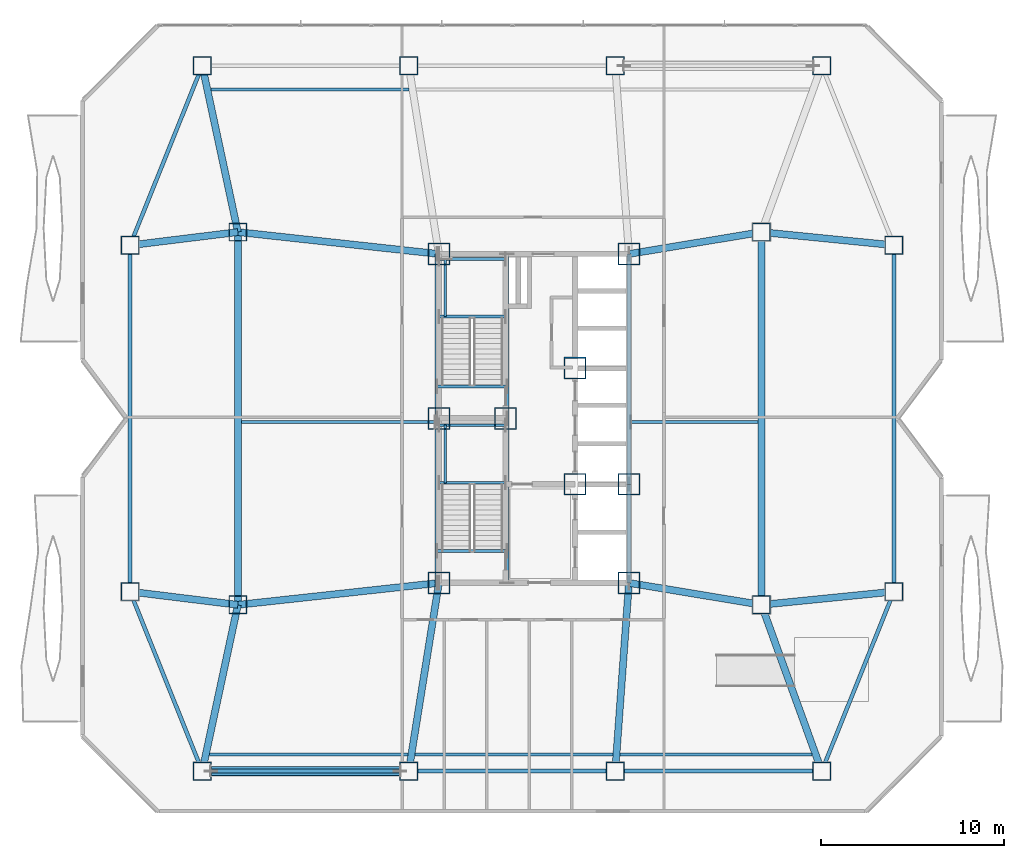
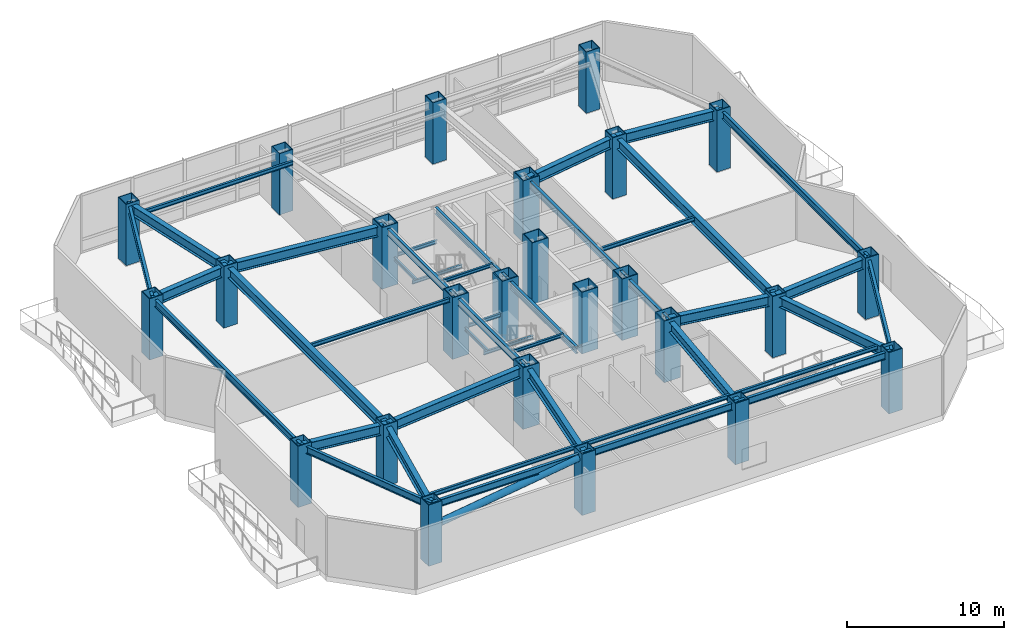
# One storey, part 1 of 14: 43 beams, 25 columns, 1 member.
"""IFC4 building model written with IfcOpenShell, lengths in metres."""

from ifc_helpers import new_model, si_unit, direction, frame, origin, origin_2d, place, context, subcontext, project, spatial, hollow_rectangle, hollow_circle, i_section, extrude, material, material_profile, profile_set, type_object, element, save


model = new_model("IFC4")

# Units and contexts
model_context = context("Model", 3, precision=1e-05, world=origin(), true_north=direction((0.0, 1.0)))
body_context = subcontext(model_context, "Body", "Model", "MODEL_VIEW")
ifc_project = project(units=[si_unit("LENGTHUNIT", "METRE"), si_unit("AREAUNIT", "SQUARE_METRE"), si_unit("VOLUMEUNIT", "CUBIC_METRE"), si_unit("PLANEANGLEUNIT", "RADIAN"), si_unit("MASSUNIT", "GRAM", prefix="KILO")], contexts=[model_context])

# Site, building, storey
site_placement = place(None, origin())
site = spatial("IfcSite", under=ifc_project, at=site_placement, CompositionType="ELEMENT")
building_placement = place(site_placement, origin())
building = spatial("IfcBuilding", under=site, at=building_placement, Name="Khamvora Tower", CompositionType="ELEMENT")
storey_placement = place(building_placement, frame((0.0, 0.0, 89.800048828125)))
storey = spatial("IfcBuildingStorey", under=building, at=storey_placement, Name="L22", CompositionType="ELEMENT", Elevation=89.800048828125)

# Columns
ifc_material_1 = material(Name="Steel S355", Category="steel")
ifc_material_profile_1 = material_profile(ifc_material_1, hollow_rectangle(XDim=1.0, YDim=1.0, WallThickness=0.050048828125, at=origin_2d()), Name="BOX1000x1000x50")
ifc_profile_set_1 = profile_set([ifc_material_profile_1], Name="Steel S355")
column_type_1 = type_object("IfcColumnType", Name="COL-BOX1000", PredefinedType="COLUMN", material=ifc_profile_set_1)
for number, where, z_axis, x_axis, name in (
    (1, (16.050048828125, 8.699951171875, 0.02490234375), (0.0, 0.0, 1.0), (1.0, 0.0, 0.0), "L22 structural frame column S1"),
    (2, (27.35009765625, 8.699951171875, 0.02490234375), (0.0, 0.0, 1.0), (1.0, 0.0, 0.0), "L22 structural frame column S2"),
    (3, (38.64990234375, 8.699951171875, 0.02490234375), (0.0, 0.0, 1.0), (1.0, 0.0, 0.0), "L22 structural frame column S3"),
    (4, (49.949951171875, 8.699951171875, 0.02490234375), (0.0, 0.0, 1.0), (1.0, 0.0, 0.0), "L22 structural frame column S4"),
    (5, (16.050048828125, 47.300048828125, 0.02490234375), (0.0, 0.0, 1.0), (1.0, 0.0, 0.0), "L22 structural frame column N1"),
    (6, (27.35009765625, 47.300048828125, 0.02490234375), (0.0, 0.0, 1.0), (1.0, 0.0, 0.0), "L22 structural frame column N2"),
    (7, (38.64990234375, 47.300048828125, 0.02490234375), (0.0, 0.0, 1.0), (1.0, 0.0, 0.0), "L22 structural frame column N3"),
    (8, (49.949951171875, 47.300048828125, 0.02490234375), (0.0, 0.0, 1.0), (1.0, 0.0, 0.0), "L22 structural frame column N4"),
    (9, (12.10009765625, 18.52490234375, 0.02490234375), (0.0, 0.0, 1.0), (1.0, 0.0, 0.0), "L22 structural frame column W1"),
    (10, (12.10009765625, 37.47509765625, 0.02490234375), (0.0, 0.0, 1.0), (1.0, 0.0, 0.0), "L22 structural frame column W2"),
    (11, (53.89990234375, 18.52490234375, 0.02490234375), (0.0, 0.0, 1.0), (1.0, 0.0, 0.0), "L22 structural frame column E1"),
    (12, (53.89990234375, 37.47509765625, 0.02490234375), (0.0, 0.0, 1.0), (1.0, 0.0, 0.0), "L22 structural frame column E2"),
):
    element("IfcColumn", number, at=place(storey_placement, frame(where, z_axis=z_axis, x_axis=x_axis)), inside=storey, type_object=column_type_1, Name=name, PredefinedType="COLUMN", context=body_context, shape_type="SweptSolid", body=[
        extrude(hollow_rectangle(XDim=1.0, YDim=1.0, WallThickness=0.050048828125, at=origin_2d()), origin(), (0.0, 0.0, 1.0), 4.775146484375),
    ])
for number, where, z_axis, x_axis, name in (
    (13, (18.0, 17.800048828125, 0.0), (0.0, 0.0, 1.0), (1.0, 0.0, 0.0), "L22 structural frame column MW1"),
    (14, (18.0, 38.199951171875, 0.0), (0.0, 0.0, 1.0), (1.0, 0.0, 0.0), "L22 structural frame column MW2"),
):
    element("IfcColumn", number, at=place(storey_placement, frame(where, z_axis=z_axis, x_axis=x_axis)), inside=storey, type_object=column_type_1, Name=name, PredefinedType="COLUMN", context=body_context, shape_type="SweptSolid", body=[
        extrude(hollow_rectangle(XDim=1.0, YDim=1.0, WallThickness=0.050048828125, at=origin_2d()), origin(), (0.0, 0.0, 1.0), 4.800048828125),
    ])
for number, where, z_axis, x_axis, name in (
    (15, (46.64990234375, 17.800048828125, 0.02490234375), (0.0, 0.0, 1.0), (1.0, 0.0, 0.0), "L22 structural frame column M1"),
    (16, (46.64990234375, 38.199951171875, 0.02490234375), (0.0, 0.0, 1.0), (1.0, 0.0, 0.0), "L22 structural frame column M2"),
):
    element("IfcColumn", number, at=place(storey_placement, frame(where, z_axis=z_axis, x_axis=x_axis)), inside=storey, type_object=column_type_1, Name=name, PredefinedType="COLUMN", context=body_context, shape_type="SweptSolid", body=[
        extrude(hollow_rectangle(XDim=1.0, YDim=1.0, WallThickness=0.050048828125, at=origin_2d()), origin(), (0.0, 0.0, 1.0), 4.775146484375),
    ])
ifc_material_2 = material(Name="Steel S460", Category="steel")
ifc_material_profile_2 = material_profile(ifc_material_2, hollow_rectangle(XDim=1.199951171875, YDim=1.199951171875, WallThickness=0.06005859375, at=origin_2d()), Name="BOX1200x1200x60")
ifc_profile_set_2 = profile_set([ifc_material_profile_2], Name="Steel S460")
column_type_2 = type_object("IfcColumnType", Name="COL-BOX1200", PredefinedType="COLUMN", material=ifc_profile_set_2)
for number, where, z_axis, x_axis, name in (
    (17, (29.0, 19.0, 0.0), (0.0, 0.0, 1.0), (1.0, 0.0, 0.0), "L22 plumb core spine column SC1"),
    (18, (32.64990234375, 28.0, 0.0), (0.0, 0.0, 1.0), (1.0, 0.0, 0.0), "L22 plumb core spine column SC2"),
    (19, (39.39990234375, 19.0, 0.0), (0.0, 0.0, 1.0), (1.0, 0.0, 0.0), "L22 plumb core spine column SC3"),
    (20, (29.0, 28.0, 0.0), (0.0, 0.0, 1.0), (1.0, 0.0, 0.0), "L22 plumb core spine column SC4"),
    (21, (36.449951171875, 24.39990234375, 0.0), (0.0, 0.0, 1.0), (1.0, 0.0, 0.0), "L22 plumb core spine column SC5"),
    (22, (39.39990234375, 24.39990234375, 0.0), (0.0, 0.0, 1.0), (1.0, 0.0, 0.0), "L22 plumb core spine column SC6"),
    (23, (29.0, 37.0, 0.0), (0.0, 0.0, 1.0), (1.0, 0.0, 0.0), "L22 plumb core spine column SC7"),
    (24, (36.449951171875, 30.75, 0.0), (0.0, 0.0, 1.0), (1.0, 0.0, 0.0), "L22 plumb core spine column SC8"),
    (25, (39.39990234375, 37.0, 0.0), (0.0, 0.0, 1.0), (1.0, 0.0, 0.0), "L22 plumb core spine column SC9"),
):
    element("IfcColumn", number, at=place(storey_placement, frame(where, z_axis=z_axis, x_axis=x_axis)), inside=storey, type_object=column_type_2, Name=name, PredefinedType="COLUMN", context=body_context, shape_type="SweptSolid", body=[
        extrude(hollow_rectangle(XDim=1.199951171875, YDim=1.199951171875, WallThickness=0.06005859375, at=origin_2d()), origin(), (0.0, 0.0, 1.0), 4.800048828125),
    ])

# Beams
ifc_material_profile_3 = material_profile(ifc_material_1, i_section(OverallWidth=0.166015625, OverallDepth=0.31298828125, WebThickness=0.007080078125, FlangeThickness=0.010986328125, FilletRadius=0.010009765625, at=origin_2d()), Name="W310x45")
ifc_profile_set_3 = profile_set([ifc_material_profile_3], Name="Steel S355")
beam_type_1 = type_object("IfcBeamType", Name="BM-JS-W310x45", PredefinedType="JOIST", material=ifc_profile_set_3)
beam_1_placement = place(storey_placement, frame((16.43310546875, 9.60009765625, 4.424072265625), z_axis=(1.0, 0.0, 0.0), x_axis=(0.0, 1.0, 0.0)))
element("IfcBeam", 26, at=beam_1_placement, inside=storey, type_object=beam_type_1, Name="L22 secondary floor joist 01", PredefinedType="JOIST", context=body_context, shape_type="SweptSolid", body=[
    extrude(i_section(OverallWidth=0.166015625, OverallDepth=0.31298828125, WebThickness=0.007080078125, FlangeThickness=0.010986328125, FilletRadius=0.010009765625, at=origin_2d()), origin(), (0.0, 0.0, 1.0), 10.872802734375),
])
beam_2_placement = place(storey_placement, frame((27.681884765625, 9.60009765625, 4.424072265625), z_axis=(1.0, 0.0, 0.0), x_axis=(0.0, 1.0, 0.0)))
element("IfcBeam", 27, at=beam_2_placement, inside=storey, type_object=beam_type_1, Name="L22 secondary floor joist 02", PredefinedType="JOIST", context=body_context, shape_type="SweptSolid", body=[
    extrude(i_section(OverallWidth=0.166015625, OverallDepth=0.31298828125, WebThickness=0.007080078125, FlangeThickness=0.010986328125, FilletRadius=0.010009765625, at=origin_2d()), origin(), (0.0, 0.0, 1.0), 10.84814453125),
])
beam_3_placement = place(storey_placement, frame((38.902099609375, 9.60009765625, 4.424072265625), z_axis=(1.0, 0.0, 0.0), x_axis=(0.0, 1.0, 0.0)))
element("IfcBeam", 28, at=beam_3_placement, inside=storey, type_object=beam_type_1, Name="L22 secondary floor joist 03", PredefinedType="JOIST", context=body_context, shape_type="SweptSolid", body=[
    extrude(i_section(OverallWidth=0.166015625, OverallDepth=0.31298828125, WebThickness=0.007080078125, FlangeThickness=0.010986328125, FilletRadius=0.010009765625, at=origin_2d()), origin(), (0.0, 0.0, 1.0), 10.52392578125),
])
beam_4_placement = place(storey_placement, frame((18.18603515625, 27.800048828125, 4.424072265625), z_axis=(1.0, 0.0, 0.0), x_axis=(0.0, 1.0, 0.0)))
element("IfcBeam", 29, at=beam_4_placement, inside=storey, type_object=beam_type_1, Name="L22 secondary floor joist 04", PredefinedType="JOIST", context=body_context, shape_type="SweptSolid", body=[
    extrude(i_section(OverallWidth=0.166015625, OverallDepth=0.31298828125, WebThickness=0.007080078125, FlangeThickness=0.010986328125, FilletRadius=0.010009765625, at=origin_2d()), origin(), (0.0, 0.0, 1.0), 10.614013671875),
])
beam_5_placement = place(storey_placement, frame((39.4990234375, 27.800048828125, 4.424072265625), z_axis=(1.0, 0.0, 0.0), x_axis=(0.0, 1.0, 0.0)))
element("IfcBeam", 30, at=beam_5_placement, inside=storey, type_object=beam_type_1, Name="L22 secondary floor joist 05", PredefinedType="JOIST", context=body_context, shape_type="SweptSolid", body=[
    extrude(i_section(OverallWidth=0.166015625, OverallDepth=0.31298828125, WebThickness=0.007080078125, FlangeThickness=0.010986328125, FilletRadius=0.010009765625, at=origin_2d()), origin(), (0.0, 0.0, 1.0), 6.966064453125),
])
beam_6_placement = place(storey_placement, frame((16.51806640625, 46.0, 4.424072265625), z_axis=(1.0, 0.0, 0.0), x_axis=(0.0, 1.0, 0.0)))
element("IfcBeam", 31, at=beam_6_placement, inside=storey, type_object=beam_type_1, Name="L22 secondary floor joist 06", PredefinedType="JOIST", context=body_context, shape_type="SweptSolid", body=[
    extrude(i_section(OverallWidth=0.166015625, OverallDepth=0.31298828125, WebThickness=0.007080078125, FlangeThickness=0.010986328125, FilletRadius=0.010009765625, at=origin_2d()), origin(), (0.0, 0.0, 1.0), 10.85205078125),
])
ifc_material_profile_4 = material_profile(ifc_material_1, i_section(OverallWidth=0.14697265625, OverallDepth=0.261962890625, WebThickness=0.007080078125, FlangeThickness=0.010986328125, FilletRadius=0.008056640625, at=origin_2d()), Name="W250x39")
ifc_profile_set_4 = profile_set([ifc_material_profile_4], Name="Steel S355")
beam_type_2 = type_object("IfcBeamType", Name="BM-LN-W250x39", PredefinedType="LINTEL", material=ifc_profile_set_4)
for number, where, z_axis, x_axis, name in (
    (32, (29.0, 24.47509765625, 2.06884765625), (1.0, 0.0, 0.0), (0.0, 1.0, 0.0), "L22 ST-01 half-landing support beam 1.1"),
    (33, (29.0, 27.6298828125, 2.06884765625), (1.0, 0.0, 0.0), (0.0, 1.0, 0.0), "L22 ST-01 half-landing support beam 1.2"),
):
    element("IfcBeam", number, at=place(storey_placement, frame(where, z_axis=z_axis, x_axis=x_axis)), inside=storey, type_object=beam_type_2, Name=name, PredefinedType="LINTEL", context=body_context, shape_type="SweptSolid", body=[
        extrude(i_section(OverallWidth=0.14697265625, OverallDepth=0.261962890625, WebThickness=0.007080078125, FlangeThickness=0.010986328125, FilletRadius=0.008056640625, at=origin_2d()), origin(), (0.0, 0.0, 1.0), 3.64990234375),
    ])
beam_7_placement = place(storey_placement, frame((29.35009765625, 24.47509765625, 2.06884765625), z_axis=(0.0, 1.0, 0.0), x_axis=(-1.0, 0.0, 0.0)))
element("IfcBeam", 34, at=beam_7_placement, inside=storey, type_object=beam_type_2, Name="L22 ST-01 half-landing edge stringer 1", PredefinedType="LINTEL", context=body_context, shape_type="SweptSolid", body=[
    extrude(i_section(OverallWidth=0.14697265625, OverallDepth=0.261962890625, WebThickness=0.007080078125, FlangeThickness=0.010986328125, FilletRadius=0.008056640625, at=origin_2d()), origin(), (0.0, 0.0, 1.0), 3.15478515625),
])
for number, where, z_axis, x_axis, name in (
    (35, (29.0, 33.574951171875, 2.06884765625), (1.0, 0.0, 0.0), (0.0, 1.0, 0.0), "L22 ST-02 half-landing support beam 1.1"),
    (36, (29.0, 36.72998046875, 2.06884765625), (1.0, 0.0, 0.0), (0.0, 1.0, 0.0), "L22 ST-02 half-landing support beam 1.2"),
):
    element("IfcBeam", number, at=place(storey_placement, frame(where, z_axis=z_axis, x_axis=x_axis)), inside=storey, type_object=beam_type_2, Name=name, PredefinedType="LINTEL", context=body_context, shape_type="SweptSolid", body=[
        extrude(i_section(OverallWidth=0.14697265625, OverallDepth=0.261962890625, WebThickness=0.007080078125, FlangeThickness=0.010986328125, FilletRadius=0.008056640625, at=origin_2d()), origin(), (0.0, 0.0, 1.0), 3.64990234375),
    ])
beam_8_placement = place(storey_placement, frame((29.35009765625, 33.574951171875, 2.06884765625), z_axis=(0.0, 1.0, 0.0), x_axis=(-1.0, 0.0, 0.0)))
element("IfcBeam", 37, at=beam_8_placement, inside=storey, type_object=beam_type_2, Name="L22 ST-02 half-landing edge stringer 1", PredefinedType="LINTEL", context=body_context, shape_type="SweptSolid", body=[
    extrude(i_section(OverallWidth=0.14697265625, OverallDepth=0.261962890625, WebThickness=0.007080078125, FlangeThickness=0.010986328125, FilletRadius=0.008056640625, at=origin_2d()), origin(), (0.0, 0.0, 1.0), 3.155029296875),
])
for number, where, z_axis, x_axis, name in (
    (38, (28.89990234375, 20.75, 4.453857421875), (1.0, 0.0, 0.0), (0.0, 1.0, 0.0), "L22 exit stair ST-01 landing trimmer beam"),
    (39, (28.89990234375, 29.75, 4.453857421875), (1.0, 0.0, 0.0), (0.0, 1.0, 0.0), "L22 exit stair ST-02 landing trimmer beam"),
):
    element("IfcBeam", number, at=place(storey_placement, frame(where, z_axis=z_axis, x_axis=x_axis)), inside=storey, type_object=beam_type_2, Name=name, PredefinedType="LINTEL", context=body_context, shape_type="SweptSolid", body=[
        extrude(i_section(OverallWidth=0.14697265625, OverallDepth=0.261962890625, WebThickness=0.007080078125, FlangeThickness=0.010986328125, FilletRadius=0.008056640625, at=origin_2d()), origin(), (0.0, 0.0, 1.0), 3.830078125),
    ])
ifc_material_profile_5 = material_profile(ifc_material_1, i_section(OverallWidth=0.381103515625, OverallDepth=0.77294921875, WebThickness=0.01708984375, FlangeThickness=0.027099609375, FilletRadius=0.01806640625, at=origin_2d()), Name="W760x257")
ifc_profile_set_5 = profile_set([ifc_material_profile_5], Name="Steel S355")
beam_type_3 = type_object("IfcBeamType", Name="BM-PG-W760x257", PredefinedType="BEAM", material=ifc_profile_set_5)
for number, where, z_axis, x_axis, name in (
    (40, (46.64990234375, 17.800048828125, 4.19287109375), (0.0, 1.0, 0.0), (-1.0, 0.0, 0.0), "L22 longitudinal frame girder M1-M2"),
    (41, (18.0, 17.800048828125, 4.19287109375), (0.0, 1.0, 0.0), (-1.0, 0.0, 0.0), "L22 longitudinal frame girder MW1-MW2"),
):
    element("IfcBeam", number, at=place(storey_placement, frame(where, z_axis=z_axis, x_axis=x_axis)), inside=storey, type_object=beam_type_3, Name=name, PredefinedType="BEAM", context=body_context, shape_type="SweptSolid", body=[
        extrude(i_section(OverallWidth=0.381103515625, OverallDepth=0.77294921875, WebThickness=0.01708984375, FlangeThickness=0.027099609375, FilletRadius=0.01806640625, at=origin_2d()), origin(), (0.0, 0.0, 1.0), 20.39990234375),
    ])
beam_9_placement = place(storey_placement, frame((18.0, 17.800048828125, 4.19287109375), z_axis=(-0.209521922673, -0.977803949634, 0.0), x_axis=(0.977803949634, -0.209521922673, 0.0)))
element("IfcBeam", 42, at=beam_9_placement, inside=storey, type_object=beam_type_3, Name="L22 primary floor girder S1", PredefinedType="BEAM", context=body_context, shape_type="SweptSolid", body=[
    extrude(i_section(OverallWidth=0.381103515625, OverallDepth=0.77294921875, WebThickness=0.01708984375, FlangeThickness=0.027099609375, FilletRadius=0.01806640625, at=origin_2d()), origin(), (0.0, 0.0, 1.0), 9.306640625),
])
beam_10_placement = place(storey_placement, frame((29.0, 19.0, 4.19287109375), z_axis=(-0.158167584066, -0.987412282358, 0.0), x_axis=(0.987412282358, -0.158167584066, 0.0)))
element("IfcBeam", 43, at=beam_10_placement, inside=storey, type_object=beam_type_3, Name="L22 primary floor girder S2", PredefinedType="BEAM", context=body_context, shape_type="SweptSolid", body=[
    extrude(i_section(OverallWidth=0.381103515625, OverallDepth=0.77294921875, WebThickness=0.01708984375, FlangeThickness=0.027099609375, FilletRadius=0.01806640625, at=origin_2d()), origin(), (0.0, 0.0, 1.0), 10.431396484375),
])
beam_11_placement = place(storey_placement, frame((39.39990234375, 19.0, 4.19287109375), z_axis=(-0.07262291808, -0.997359469685, 0.0), x_axis=(0.997359469685, -0.07262291808, 0.0)))
element("IfcBeam", 44, at=beam_11_placement, inside=storey, type_object=beam_type_3, Name="L22 primary floor girder S3", PredefinedType="BEAM", context=body_context, shape_type="SweptSolid", body=[
    extrude(i_section(OverallWidth=0.381103515625, OverallDepth=0.77294921875, WebThickness=0.01708984375, FlangeThickness=0.027099609375, FilletRadius=0.01806640625, at=origin_2d()), origin(), (0.0, 0.0, 1.0), 10.327392578125),
])
beam_12_placement = place(storey_placement, frame((46.64990234375, 17.800048828125, 4.19287109375), z_axis=(0.340914681567, -0.940094239899, 0.0), x_axis=(0.940094239899, 0.340914681567, 0.0)))
element("IfcBeam", 45, at=beam_12_placement, inside=storey, type_object=beam_type_3, Name="L22 primary floor girder S4", PredefinedType="BEAM", context=body_context, shape_type="SweptSolid", body=[
    extrude(i_section(OverallWidth=0.381103515625, OverallDepth=0.77294921875, WebThickness=0.01708984375, FlangeThickness=0.027099609375, FilletRadius=0.01806640625, at=origin_2d()), origin(), (0.0, 0.0, 1.0), 9.679931640625),
])
beam_13_placement = place(storey_placement, frame((18.0, 38.199951171875, 4.19287109375), z_axis=(-0.209521922673, 0.977803949634, 0.0), x_axis=(-0.977803949634, -0.209521922673, 0.0)))
element("IfcBeam", 46, at=beam_13_placement, inside=storey, type_object=beam_type_3, Name="L22 primary floor girder N1", PredefinedType="BEAM", context=body_context, shape_type="SweptSolid", body=[
    extrude(i_section(OverallWidth=0.381103515625, OverallDepth=0.77294921875, WebThickness=0.01708984375, FlangeThickness=0.027099609375, FilletRadius=0.01806640625, at=origin_2d()), origin(), (0.0, 0.0, 1.0), 9.306640625),
])
for number, where, z_axis, x_axis, name in (
    (47, (18.0, 17.800048828125, 4.19287109375), (-0.992537264608, 0.12194170068, 0.0), (-0.12194170068, -0.992537264608, 0.0), "L22 primary floor girder W1"),
    (48, (18.0, 38.199951171875, 4.19287109375), (-0.992537264608, -0.12194170068, 0.0), (0.12194170068, -0.992537264608, 0.0), "L22 primary floor girder W2"),
):
    element("IfcBeam", number, at=place(storey_placement, frame(where, z_axis=z_axis, x_axis=x_axis)), inside=storey, type_object=beam_type_3, Name=name, PredefinedType="BEAM", context=body_context, shape_type="SweptSolid", body=[
        extrude(i_section(OverallWidth=0.381103515625, OverallDepth=0.77294921875, WebThickness=0.01708984375, FlangeThickness=0.027099609375, FilletRadius=0.01806640625, at=origin_2d()), origin(), (0.0, 0.0, 1.0), 5.9443359375),
    ])
for number, where, z_axis, x_axis, name in (
    (49, (46.64990234375, 17.800048828125, 4.19287109375), (0.995039180556, 0.099483813546, 0.0), (-0.099483813546, 0.995039180556, 0.0), "L22 primary floor girder E1"),
    (50, (46.64990234375, 38.199951171875, 4.19287109375), (0.995039180556, -0.099483813546, 0.0), (0.099483813546, 0.995039180556, 0.0), "L22 primary floor girder E2"),
):
    element("IfcBeam", number, at=place(storey_placement, frame(where, z_axis=z_axis, x_axis=x_axis)), inside=storey, type_object=beam_type_3, Name=name, PredefinedType="BEAM", context=body_context, shape_type="SweptSolid", body=[
        extrude(i_section(OverallWidth=0.381103515625, OverallDepth=0.77294921875, WebThickness=0.01708984375, FlangeThickness=0.027099609375, FilletRadius=0.01806640625, at=origin_2d()), origin(), (0.0, 0.0, 1.0), 7.2861328125),
    ])
for number, where, z_axis, x_axis, name in (
    (51, (29.0, 19.0, 4.19287109375), (-0.994102652327, -0.108443149329, 0.0), (0.108443149329, -0.994102652327, 0.0), "L22 primary floor girder MW1"),
    (52, (29.0, 37.0, 4.19287109375), (-0.994102652327, 0.108443149329, 0.0), (-0.108443149329, -0.994102652327, 0.0), "L22 primary floor girder MW2"),
):
    element("IfcBeam", number, at=place(storey_placement, frame(where, z_axis=z_axis, x_axis=x_axis)), inside=storey, type_object=beam_type_3, Name=name, PredefinedType="BEAM", context=body_context, shape_type="SweptSolid", body=[
        extrude(i_section(OverallWidth=0.381103515625, OverallDepth=0.77294921875, WebThickness=0.01708984375, FlangeThickness=0.027099609375, FilletRadius=0.01806640625, at=origin_2d()), origin(), (0.0, 0.0, 1.0), 11.065185546875),
    ])
for number, where, z_axis, x_axis, name in (
    (53, (39.39990234375, 19.0, 4.19287109375), (0.986578268552, -0.163289068896, 0.0), (0.163289068896, 0.986578268552, 0.0), "L22 primary floor girder M1"),
    (54, (39.39990234375, 37.0, 4.19287109375), (0.986578268552, 0.163289068896, 0.0), (-0.163289068896, 0.986578268552, 0.0), "L22 primary floor girder M2"),
):
    element("IfcBeam", number, at=place(storey_placement, frame(where, z_axis=z_axis, x_axis=x_axis)), inside=storey, type_object=beam_type_3, Name=name, PredefinedType="BEAM", context=body_context, shape_type="SweptSolid", body=[
        extrude(i_section(OverallWidth=0.381103515625, OverallDepth=0.77294921875, WebThickness=0.01708984375, FlangeThickness=0.027099609375, FilletRadius=0.01806640625, at=origin_2d()), origin(), (0.0, 0.0, 1.0), 7.3486328125),
    ])
ifc_material_profile_6 = material_profile(ifc_material_1, i_section(OverallWidth=0.2119140625, OverallDepth=0.5439453125, WebThickness=0.012939453125, FlangeThickness=0.02099609375, FilletRadius=0.013916015625, at=origin_2d()), Name="W530x123")
ifc_profile_set_6 = profile_set([ifc_material_profile_6], Name="Steel S355")
beam_type_4 = type_object("IfcBeamType", Name="BM-SP-W530x123", PredefinedType="SPANDREL", material=ifc_profile_set_6)
beam_14_placement = place(storey_placement, frame((12.10009765625, 18.52490234375, 4.307861328125), z_axis=(0.373015921536, -0.927824941614, 0.0), x_axis=(0.927824941614, 0.373015921536, 0.0)))
element("IfcBeam", 55, at=beam_14_placement, inside=storey, type_object=beam_type_4, Name="L22 perimeter spandrel beam W1-S1", PredefinedType="SPANDREL", context=body_context, shape_type="SweptSolid", body=[
    extrude(i_section(OverallWidth=0.2119140625, OverallDepth=0.5439453125, WebThickness=0.012939453125, FlangeThickness=0.02099609375, FilletRadius=0.013916015625, at=origin_2d()), origin(), (0.0, 0.0, 1.0), 10.589111328125),
])
beam_15_placement = place(storey_placement, frame((16.050048828125, 8.699951171875, 4.307861328125), z_axis=(1.0, 0.0, 0.0), x_axis=(0.0, 1.0, 0.0)))
element("IfcBeam", 56, at=beam_15_placement, inside=storey, type_object=beam_type_4, Name="L22 perimeter spandrel beam S1-S2", PredefinedType="SPANDREL", context=body_context, shape_type="SweptSolid", body=[
    extrude(i_section(OverallWidth=0.2119140625, OverallDepth=0.5439453125, WebThickness=0.012939453125, FlangeThickness=0.02099609375, FilletRadius=0.013916015625, at=origin_2d()), origin(), (0.0, 0.0, 1.0), 11.300048828125),
])
beam_16_placement = place(storey_placement, frame((27.35009765625, 8.699951171875, 4.307861328125), z_axis=(1.0, 0.0, 0.0), x_axis=(0.0, 1.0, 0.0)))
element("IfcBeam", 57, at=beam_16_placement, inside=storey, type_object=beam_type_4, Name="L22 perimeter spandrel beam S2-S3", PredefinedType="SPANDREL", context=body_context, shape_type="SweptSolid", body=[
    extrude(i_section(OverallWidth=0.2119140625, OverallDepth=0.5439453125, WebThickness=0.012939453125, FlangeThickness=0.02099609375, FilletRadius=0.013916015625, at=origin_2d()), origin(), (0.0, 0.0, 1.0), 11.2998046875),
])
beam_17_placement = place(storey_placement, frame((38.64990234375, 8.699951171875, 4.307861328125), z_axis=(1.0, 0.0, 0.0), x_axis=(0.0, 1.0, 0.0)))
element("IfcBeam", 58, at=beam_17_placement, inside=storey, type_object=beam_type_4, Name="L22 perimeter spandrel beam S3-S4", PredefinedType="SPANDREL", context=body_context, shape_type="SweptSolid", body=[
    extrude(i_section(OverallWidth=0.2119140625, OverallDepth=0.5439453125, WebThickness=0.012939453125, FlangeThickness=0.02099609375, FilletRadius=0.013916015625, at=origin_2d()), origin(), (0.0, 0.0, 1.0), 11.300048828125),
])
beam_18_placement = place(storey_placement, frame((49.949951171875, 8.699951171875, 4.307861328125), z_axis=(0.373015921536, 0.927824941614, 0.0), x_axis=(-0.927824941614, 0.373015921536, 0.0)))
element("IfcBeam", 59, at=beam_18_placement, inside=storey, type_object=beam_type_4, Name="L22 perimeter spandrel beam S4-E1", PredefinedType="SPANDREL", context=body_context, shape_type="SweptSolid", body=[
    extrude(i_section(OverallWidth=0.2119140625, OverallDepth=0.5439453125, WebThickness=0.012939453125, FlangeThickness=0.02099609375, FilletRadius=0.013916015625, at=origin_2d()), origin(), (0.0, 0.0, 1.0), 10.589111328125),
])
beam_19_placement = place(storey_placement, frame((53.89990234375, 18.52490234375, 4.307861328125), z_axis=(0.0, 1.0, 0.0), x_axis=(-1.0, 0.0, 0.0)))
element("IfcBeam", 60, at=beam_19_placement, inside=storey, type_object=beam_type_4, Name="L22 perimeter spandrel beam E1-E2", PredefinedType="SPANDREL", context=body_context, shape_type="SweptSolid", body=[
    extrude(i_section(OverallWidth=0.2119140625, OverallDepth=0.5439453125, WebThickness=0.012939453125, FlangeThickness=0.02099609375, FilletRadius=0.013916015625, at=origin_2d()), origin(), (0.0, 0.0, 1.0), 18.9501953125),
])
beam_20_placement = place(storey_placement, frame((16.050048828125, 47.300048828125, 4.307861328125), z_axis=(-0.373015921536, -0.927824941614, 0.0), x_axis=(0.927824941614, -0.373015921536, 0.0)))
element("IfcBeam", 61, at=beam_20_placement, inside=storey, type_object=beam_type_4, Name="L22 perimeter spandrel beam N1-W2", PredefinedType="SPANDREL", context=body_context, shape_type="SweptSolid", body=[
    extrude(i_section(OverallWidth=0.2119140625, OverallDepth=0.5439453125, WebThickness=0.012939453125, FlangeThickness=0.02099609375, FilletRadius=0.013916015625, at=origin_2d()), origin(), (0.0, 0.0, 1.0), 10.589111328125),
])
beam_21_placement = place(storey_placement, frame((12.10009765625, 37.47509765625, 4.307861328125), z_axis=(0.0, -1.0, 0.0), x_axis=(1.0, 0.0, 0.0)))
element("IfcBeam", 62, at=beam_21_placement, inside=storey, type_object=beam_type_4, Name="L22 perimeter spandrel beam W2-W1", PredefinedType="SPANDREL", context=body_context, shape_type="SweptSolid", body=[
    extrude(i_section(OverallWidth=0.2119140625, OverallDepth=0.5439453125, WebThickness=0.012939453125, FlangeThickness=0.02099609375, FilletRadius=0.013916015625, at=origin_2d()), origin(), (0.0, 0.0, 1.0), 18.9501953125),
])
ifc_material_profile_7 = material_profile(ifc_material_1, i_section(OverallWidth=0.208984375, OverallDepth=0.532958984375, WebThickness=0.010009765625, FlangeThickness=0.01611328125, FilletRadius=0.013916015625, at=origin_2d()), Name="W530x92")
ifc_profile_set_7 = profile_set([ifc_material_profile_7], Name="Steel S355")
beam_type_5 = type_object("IfcBeamType", Name="BM-SP-W530x92", PredefinedType="SPANDREL", material=ifc_profile_set_7)
for number, where, z_axis, x_axis, name in (
    (63, (28.89990234375, 19.0, 4.31396484375), (0.0, 1.0, 0.0), (-1.0, 0.0, 0.0), "L22 core spine girder WS"),
    (64, (28.89990234375, 28.0, 4.31396484375), (0.0, 1.0, 0.0), (-1.0, 0.0, 0.0), "L22 core spine girder WN"),
    (65, (32.72998046875, 19.0, 4.31396484375), (0.0, 1.0, 0.0), (-1.0, 0.0, 0.0), "L22 core spine girder M1S"),
    (66, (32.72998046875, 28.0, 4.31396484375), (0.0, 1.0, 0.0), (-1.0, 0.0, 0.0), "L22 core spine girder M1N"),
):
    element("IfcBeam", number, at=place(storey_placement, frame(where, z_axis=z_axis, x_axis=x_axis)), inside=storey, type_object=beam_type_5, Name=name, PredefinedType="SPANDREL", context=body_context, shape_type="SweptSolid", body=[
        extrude(i_section(OverallWidth=0.208984375, OverallDepth=0.532958984375, WebThickness=0.010009765625, FlangeThickness=0.01611328125, FilletRadius=0.013916015625, at=origin_2d()), origin(), (0.0, 0.0, 1.0), 9.0),
    ])
beam_22_placement = place(storey_placement, frame((39.39990234375, 19.0, 4.31396484375), z_axis=(0.0, 1.0, 0.0), x_axis=(-1.0, 0.0, 0.0)))
element("IfcBeam", 67, at=beam_22_placement, inside=storey, type_object=beam_type_5, Name="L22 core spine girder ES", PredefinedType="SPANDREL", context=body_context, shape_type="SweptSolid", body=[
    extrude(i_section(OverallWidth=0.208984375, OverallDepth=0.532958984375, WebThickness=0.010009765625, FlangeThickness=0.01611328125, FilletRadius=0.013916015625, at=origin_2d()), origin(), (0.0, 0.0, 1.0), 5.39990234375),
])
beam_23_placement = place(storey_placement, frame((39.39990234375, 24.39990234375, 4.31396484375), z_axis=(0.0, 1.0, 0.0), x_axis=(-1.0, 0.0, 0.0)))
element("IfcBeam", 68, at=beam_23_placement, inside=storey, type_object=beam_type_5, Name="L22 core spine girder EN", PredefinedType="SPANDREL", context=body_context, shape_type="SweptSolid", body=[
    extrude(i_section(OverallWidth=0.208984375, OverallDepth=0.532958984375, WebThickness=0.010009765625, FlangeThickness=0.01611328125, FilletRadius=0.013916015625, at=origin_2d()), origin(), (0.0, 0.0, 1.0), 12.60009765625),
])

# Member
ifc_material_profile_8 = material_profile(ifc_material_2, hollow_circle(Radius=0.25390625, WallThickness=0.02490234375, at=origin_2d()), Name="CHS508x25")
ifc_profile_set_8 = profile_set([ifc_material_profile_8], Name="Steel S460")
member_type = type_object("IfcMemberType", Name="MEM-BR-CHS508", PredefinedType="BRACE", material=ifc_profile_set_8)
member_placement = place(storey_placement, frame((16.52490234375, 8.699951171875, 2.7490234375), z_axis=(0.989756672957, 0.0, 0.142764590629), x_axis=(0.0, 1.0, 0.0)))
element("IfcMember", 69, at=member_placement, inside=storey, type_object=member_type, Name="L22 perimeter wind brace 1", PredefinedType="BRACE", context=body_context, shape_type="SweptSolid", body=[
    extrude(hollow_circle(Radius=0.25390625, WallThickness=0.02490234375, at=origin_2d()), origin(), (0.0, 0.0, 1.0), 10.457275390625),
])

save(model, "model.ifc")
